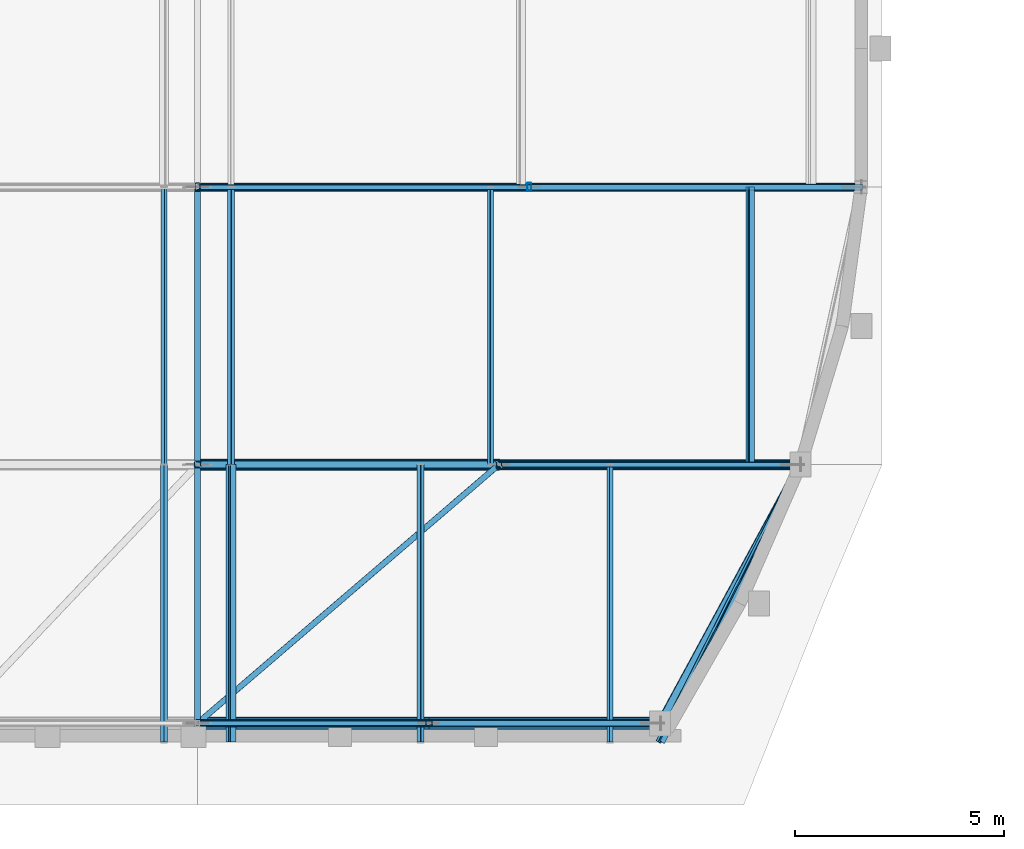
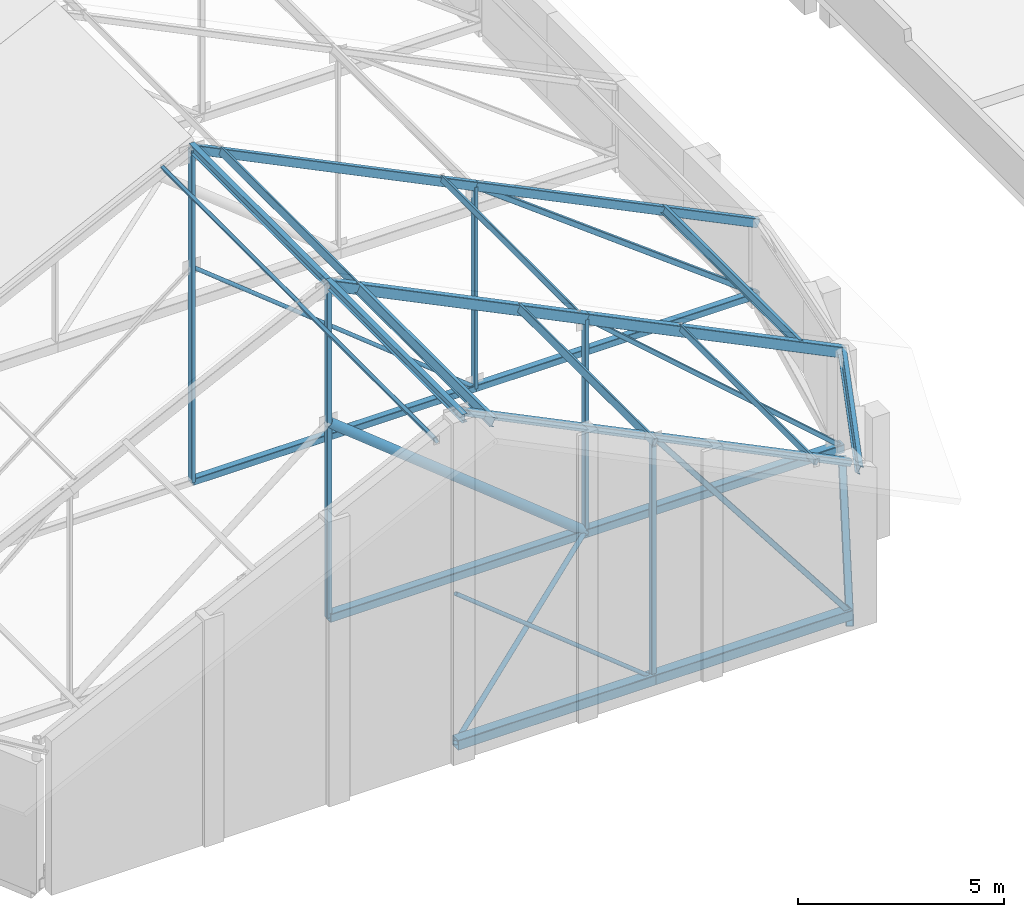
# One storey, part 15 of 78: 35 members, 1 beam.
"""IFC4 building model written with IfcOpenShell, lengths in metres."""

import ifcopenshell
import ifcopenshell.guid

model = None  # the IFC model being written
_history = None  # IfcOwnerHistory: only IFC2X3 demands one
_inside = {}  # id of a spatial element -> (the spatial element, [elements in it])
_under = {}  # id of a project, library or spatial element -> (it, [spatial elements below it])
_declared = {}  # id of a project -> (the project, [libraries it declares])
_typed = {}  # id of a type object -> (the type object, [elements of that type])
_made_of = {}  # id of a material, layer set ... -> (it, [elements and type objects made of it])


def new_model(schema):
    """Start an empty IFC model of exactly this schema.

    Asked for "IFC4X3", IfcOpenShell would pick the latest addendum, in which some entities
    have other attributes; the version numbers below select the first issue.
    IFC2X3 requires an IfcOwnerHistory on every rooted entity: one is made here for all.
    """
    global model, _history
    if schema == "IFC4X3":
        model = ifcopenshell.file(schema_version=(4, 3, 0, 0))
    else:
        model = ifcopenshell.file(schema=schema)
    _inside.clear()
    _under.clear()
    _declared.clear()
    _typed.clear()
    _made_of.clear()
    _history = None
    if model.schema == "IFC2X3":
        org = make("IfcOrganization", Name="unknown")
        user = make(
            "IfcPersonAndOrganization",
            ThePerson=make("IfcPerson", FamilyName="unknown"),
            TheOrganization=org,
        )
        app = make(
            "IfcApplication",
            ApplicationDeveloper=org,
            Version="unknown",
            ApplicationFullName="unknown",
            ApplicationIdentifier="unknown",
        )
        _history = make(
            "IfcOwnerHistory",
            OwningUser=user,
            OwningApplication=app,
            ChangeAction="ADDED",
            CreationDate=0,
        )
    return model


def make(cls, **values):
    """One entity of the class cls with the attributes given. An attribute that is None is left unset."""
    return model.create_entity(
        cls, **{name: value for name, value in values.items() if value is not None}
    )


def rooted(cls, **values):
    """An entity with a GlobalId (a new one), such as an element, a storey or a relation."""
    return make(cls, GlobalId=ifcopenshell.guid.new(), OwnerHistory=_history, **values)


def si_unit(unit_type, name, prefix=None):
    """IfcSIUnit, for example si_unit("LENGTHUNIT", "METRE", prefix="MILLI")."""
    return make("IfcSIUnit", UnitType=unit_type, Prefix=prefix, Name=name)


def assignment(units):
    """IfcUnitAssignment: the units of a project."""
    return None if units is None else make("IfcUnitAssignment", Units=units)


def point(xyz):
    """IfcCartesianPoint."""
    return None if xyz is None else make("IfcCartesianPoint", Coordinates=xyz)


def direction(xyz):
    """IfcDirection."""
    return None if xyz is None else make("IfcDirection", DirectionRatios=xyz)


def frame(location, z_axis=None, x_axis=None):
    """IfcAxis2Placement3D, a coordinate frame: its origin and axes. An axis left out is left unset."""
    return make(
        "IfcAxis2Placement3D",
        Location=point(location),
        Axis=direction(z_axis),
        RefDirection=direction(x_axis),
    )


def frame_2d(location, x_axis=None):
    """IfcAxis2Placement2D, a coordinate frame in the plane: its origin and x axis."""
    return make(
        "IfcAxis2Placement2D", Location=point(location), RefDirection=direction(x_axis)
    )


def origin():
    """The frame at (0, 0, 0) with its axes left unset."""
    return frame((0.0, 0.0, 0.0))


def origin_2d():
    """The frame at (0, 0) in the plane with its x axis left unset."""
    return frame_2d((0.0, 0.0))


def place(relative_to, where):
    """IfcLocalPlacement: puts the frame where relative to a parent placement (None: the world)."""
    return make(
        "IfcLocalPlacement", PlacementRelTo=relative_to, RelativePlacement=where
    )


def context(
    kind, dimensions, precision=None, world=None, true_north=None, identifier=None
):
    """IfcGeometricRepresentationContext, for example the 3D "Model" context."""
    return make(
        "IfcGeometricRepresentationContext",
        ContextIdentifier=identifier,
        ContextType=kind,
        CoordinateSpaceDimension=dimensions,
        Precision=precision,
        WorldCoordinateSystem=world,
        TrueNorth=true_north,
    )


def subcontext(parent, identifier, kind, view, scale=None):
    """IfcGeometricRepresentationSubContext, for example "Body" below "Model"."""
    return make(
        "IfcGeometricRepresentationSubContext",
        ContextIdentifier=identifier,
        ContextType=kind,
        ParentContext=parent,
        TargetScale=scale,
        TargetView=view,
    )


def project(units=None, contexts=None):
    """IfcProject with its units and contexts."""
    return rooted(
        "IfcProject",
        Name="project",
        RepresentationContexts=contexts,
        UnitsInContext=assignment(units),
    )


def spatial(cls, under=None, at=None, **own):
    """A site, building, storey or space (cls), placed at a placement, below another one or the project."""
    s = rooted(cls, ObjectPlacement=at, **own)
    if under is not None:
        _under.setdefault(under.id(), (under, []))[1].append(s)
    return s


def profile(cls, at=None, kind="AREA", **sizes):
    """A parametric profile (cls). Its sizes go by their IFC names, for example OverallWidth=200.0."""
    return make(cls, ProfileType=kind, Position=at, **sizes)


def hollow_rectangle(**sizes):
    """IfcRectangleHollowProfileDef."""
    return profile("IfcRectangleHollowProfileDef", **sizes)


def hollow_circle(**sizes):
    """IfcCircleHollowProfileDef."""
    return profile("IfcCircleHollowProfileDef", **sizes)


def i_section(**sizes):
    """IfcIShapeProfileDef."""
    return profile("IfcIShapeProfileDef", **sizes)


def extrude(swept, where, along, depth):
    """IfcExtrudedAreaSolid: the profile swept, set in the frame where, extruded along a direction by depth."""
    return make(
        "IfcExtrudedAreaSolid",
        SweptArea=swept,
        Position=where,
        ExtrudedDirection=direction(along),
        Depth=depth,
    )


def shape(context_of_items, identifier, shape_type, items):
    """IfcShapeRepresentation: the items that make up one representation, for example the "Body"."""
    return make(
        "IfcShapeRepresentation",
        ContextOfItems=context_of_items,
        RepresentationIdentifier=identifier,
        RepresentationType=shape_type,
        Items=items,
    )


def material(Name=None, Category=None):
    """IfcMaterial."""
    return make("IfcMaterial", Name=Name, Category=Category)


def material_profile(
    of_material, cross_section, Name=None, Category=None, Priority=None
):
    """IfcMaterialProfile: a cross section and its material."""
    return make(
        "IfcMaterialProfile",
        Name=Name,
        Material=of_material,
        Profile=cross_section,
        Priority=Priority,
        Category=Category,
    )


def profile_set(profiles, Name=None, composite=None):
    """IfcMaterialProfileSet."""
    return make(
        "IfcMaterialProfileSet",
        Name=Name,
        MaterialProfiles=profiles,
        CompositeProfile=composite,
    )


def made_of(thing, what):
    """Note that an element or type object is made of a material, layer set ...; save() writes the relation."""
    if what is not None:
        _made_of.setdefault(what.id(), (what, []))[1].append(thing)
    return thing


def type_object(cls, material=None, **own):
    """A type object (cls), such as IfcWallType, which elements share."""
    return made_of(rooted(cls, **own), material)


def element(
    cls,
    number,
    at=None,
    inside=None,
    cuts=None,
    type_object=None,
    material=None,
    context=None,
    identifier="Body",
    shape_type=None,
    held_by="IfcProductDefinitionShape",
    body=None,
    shapes=None,
    **own,
):
    """One element of the class cls, such as IfcWall. Its Tag is "e" and its number.

    at: its placement. inside: the storey or other place that contains it. cuts: it is an
    opening in that element (IfcRelVoidsElement). A single representation is given by context,
    identifier, shape_type and body (its items); several are given by shapes. held_by: the class
    of the entity that holds the representations. save() writes the other relations.
    """
    e = rooted(cls, Tag="e%d" % number, ObjectPlacement=at, **own)
    if body is not None:
        shapes = [shape(context, identifier, shape_type, body)]
    if shapes is not None:
        e.Representation = make(held_by, Representations=shapes)
    if inside is not None:
        _inside.setdefault(inside.id(), (inside, []))[1].append(e)
    if cuts is not None:
        rooted(
            "IfcRelVoidsElement", RelatingBuildingElement=cuts, RelatedOpeningElement=e
        )
    if type_object is not None:
        _typed.setdefault(type_object.id(), (type_object, []))[1].append(e)
    return made_of(e, material)


def aggregate(whole, parts):
    """IfcRelAggregates: a whole, such as a stair, and the parts it consists of."""
    return rooted("IfcRelAggregates", RelatingObject=whole, RelatedObjects=parts)


def save(model, path):
    """Write the relations noted so far, then the file.

    IfcRelAggregates (storeys below a building ...), IfcRelContainedInSpatialStructure (elements
    in a storey), IfcRelDefinesByType, IfcRelAssociatesMaterial and IfcRelDeclares: one each for
    every whole, place, type object, material and project.
    """
    for whole, parts in _under.values():
        aggregate(whole, parts)
    for where, things in _inside.values():
        rooted(
            "IfcRelContainedInSpatialStructure",
            RelatedElements=things,
            RelatingStructure=where,
        )
    for kind, things in _typed.values():
        rooted("IfcRelDefinesByType", RelatedObjects=things, RelatingType=kind)
    for what, things in _made_of.values():
        rooted("IfcRelAssociatesMaterial", RelatedObjects=things, RelatingMaterial=what)
    for by, libraries in _declared.values():
        rooted("IfcRelDeclares", RelatingContext=by, RelatedDefinitions=libraries)
    model.write(path)


model = new_model("IFC4")

# Units and contexts
model_context = context("Model", 3, precision=1e-05, world=origin(), true_north=direction((0.0, 1.0)))
body_context = subcontext(model_context, "Body", "Model", "MODEL_VIEW")
ifc_project = project(units=[si_unit("LENGTHUNIT", "METRE"), si_unit("AREAUNIT", "SQUARE_METRE"), si_unit("VOLUMEUNIT", "CUBIC_METRE"), si_unit("PLANEANGLEUNIT", "RADIAN"), si_unit("MASSUNIT", "GRAM", prefix="KILO")], contexts=[model_context])

# Site, building, storey
site_placement = place(None, origin())
site = spatial("IfcSite", under=ifc_project, at=site_placement, CompositionType="ELEMENT")
building_placement = place(site_placement, origin())
building = spatial("IfcBuilding", under=site, at=building_placement, Name="Kelanivale Promenade Academy", CompositionType="ELEMENT")
storey_placement = place(building_placement, frame((0.0, 0.0, 16.199951171875)))
storey = spatial("IfcBuildingStorey", under=building, at=storey_placement, Name="L04", CompositionType="ELEMENT", Elevation=16.199951171875)

# Members
ifc_material = material(Name="Steel S355", Category="steel")
ifc_material_profile_1 = material_profile(ifc_material, i_section(OverallWidth=0.13330078125, OverallDepth=0.203125, WebThickness=0.005615234375, FlangeThickness=0.0078125, FilletRadius=0.007568359375, at=origin_2d()), Name="UB 203x133x25")
ifc_profile_set_1 = profile_set([ifc_material_profile_1], Name="Steel S355")
member_type_1 = type_object("IfcMemberType", Name="PR-01 UB 203x133x25", PredefinedType="PURLIN", material=ifc_profile_set_1)
member_1_placement = place(storey_placement, frame((30.64990234375, 33.0, 4.68994140625), z_axis=(0.440489745694, 0.871606003141, -0.215108714903), x_axis=(-0.759389701539, 0.489547094897, 0.428568457862)))
element("IfcMember", 1, at=member_1_placement, inside=storey, type_object=member_type_1, Name="Sports Hall Crescent Pavilion roof tie purlin PR-01", PredefinedType="PURLIN", context=body_context, shape_type="SweptSolid", body=[
    extrude(i_section(OverallWidth=0.13330078125, OverallDepth=0.203125, WebThickness=0.005615234375, FlangeThickness=0.0078125, FilletRadius=0.007568359375, at=origin_2d()), origin(), (0.0, 0.0, 1.0), 7.60546875),
])
member_2_placement = place(storey_placement, frame((32.800048828125, 39.62890625, 3.656982421875), z_axis=(0.0, 1.0, 0.0), x_axis=(-0.898564392509, 0.0, 0.438841694139)))
element("IfcMember", 2, at=member_2_placement, inside=storey, type_object=member_type_1, Name="Sports Hall Crescent Pavilion roof purlin PR-01", PredefinedType="PURLIN", context=body_context, shape_type="SweptSolid", body=[
    extrude(i_section(OverallWidth=0.13330078125, OverallDepth=0.203125, WebThickness=0.005615234375, FlangeThickness=0.0078125, FilletRadius=0.007568359375, at=origin_2d()), origin(), (0.0, 0.0, 1.0), 6.628173828125),
])
ifc_material_profile_2 = material_profile(ifc_material, i_section(OverallWidth=0.14599609375, OverallDepth=0.25146484375, WebThickness=0.006103515625, FlangeThickness=0.008544921875, FilletRadius=0.007568359375, at=origin_2d()), Name="UB 254x146x31")
ifc_profile_set_2 = profile_set([ifc_material_profile_2], Name="Steel S355")
member_type_2 = type_object("IfcMemberType", Name="PR-02 UB 254x146x31", PredefinedType="PURLIN", material=ifc_profile_set_2)
for number, where, z_axis, x_axis, name in (
    (3, (19.60009765625, 33.0, 10.087158203125), (0.0, 1.0, 0.0), (-1.0, 0.0, 0.0), "Sports Hall Crescent Pavilion roof tie purlin PR-02"),
    (4, (20.39990234375, 33.0, 9.68603515625), (0.0, 1.0, 0.0), (-0.898564392509, 0.0, 0.438841694139), "Sports Hall Crescent Pavilion roof purlin PR-02"),
):
    element("IfcMember", number, at=place(storey_placement, frame(where, z_axis=z_axis, x_axis=x_axis)), inside=storey, type_object=member_type_2, Name=name, PredefinedType="PURLIN", context=body_context, shape_type="SweptSolid", body=[
        extrude(i_section(OverallWidth=0.14599609375, OverallDepth=0.25146484375, WebThickness=0.006103515625, FlangeThickness=0.008544921875, FilletRadius=0.007568359375, at=origin_2d()), origin(), (0.0, 0.0, 1.0), 6.62890625),
    ])
member_3_placement = place(storey_placement, frame((19.60009765625, 39.62890625, 10.087158203125), z_axis=(0.0, 1.0, 0.0), x_axis=(-1.0, 0.0, 0.0)))
element("IfcMember", 5, at=member_3_placement, inside=storey, type_object=member_type_2, Name="Sports Hall Crescent Pavilion roof tie purlin PR-02", PredefinedType="PURLIN", context=body_context, shape_type="SweptSolid", body=[
    extrude(i_section(OverallWidth=0.14599609375, OverallDepth=0.25146484375, WebThickness=0.006103515625, FlangeThickness=0.008544921875, FilletRadius=0.007568359375, at=origin_2d()), origin(), (0.0, 0.0, 1.0), 6.628173828125),
])
ifc_material_profile_3 = material_profile(ifc_material, hollow_rectangle(XDim=0.10009765625, YDim=0.199951171875, WallThickness=0.008056640625, InnerFilletRadius=0.008056640625, OuterFilletRadius=0.01611328125, at=origin_2d()), Name="RHS 200x100x8.0")
ifc_profile_set_3 = profile_set([ifc_material_profile_3], Name="Steel S355")
member_type_3 = type_object("IfcMemberType", Name="PR-03 RHS 200x100x8.0", PredefinedType="PURLIN", material=ifc_profile_set_3)
for number, where, z_axis, x_axis, name in (
    (6, (18.800048828125, 33.0, 9.715087890625), (0.0, 1.0, 0.0), (-0.898564392509, 0.0, -0.438841694139), "Sports Hall Crescent Pavilion roof purlin PR-03"),
    (7, (24.925048828125, 33.0, 7.505126953125), (0.0, 1.0, 0.0), (-0.898564392509, 0.0, 0.438841694139), "Sports Hall Crescent Pavilion roof purlin PR-03"),
):
    element("IfcMember", number, at=place(storey_placement, frame(where, z_axis=z_axis, x_axis=x_axis)), inside=storey, type_object=member_type_3, Name=name, PredefinedType="PURLIN", context=body_context, shape_type="SweptSolid", body=[
        extrude(hollow_rectangle(XDim=0.10009765625, YDim=0.199951171875, WallThickness=0.008056640625, InnerFilletRadius=0.008056640625, OuterFilletRadius=0.01611328125, at=origin_2d()), origin(), (0.0, 0.0, 1.0), 6.62890625),
    ])
member_4_placement = place(storey_placement, frame((20.39990234375, 39.62890625, 9.715087890625), z_axis=(0.0, 1.0, 0.0), x_axis=(-0.898564392509, 0.0, 0.438841694139)))
element("IfcMember", 8, at=member_4_placement, inside=storey, type_object=member_type_3, Name="Sports Hall Crescent Pavilion roof purlin PR-03", PredefinedType="PURLIN", context=body_context, shape_type="SweptSolid", body=[
    extrude(hollow_rectangle(XDim=0.10009765625, YDim=0.199951171875, WallThickness=0.008056640625, InnerFilletRadius=0.008056640625, OuterFilletRadius=0.01611328125, at=origin_2d()), origin(), (0.0, 0.0, 1.0), 6.628173828125),
])
ifc_material_profile_4 = material_profile(ifc_material, hollow_rectangle(XDim=0.10009765625, YDim=0.14990234375, WallThickness=0.008056640625, InnerFilletRadius=0.008056640625, OuterFilletRadius=0.01611328125, at=origin_2d()), Name="RHS 150x100x8.0")
ifc_profile_set_4 = profile_set([ifc_material_profile_4], Name="Steel S355")
member_type_4 = type_object("IfcMemberType", Name="PR-04 RHS 150x100x8.0", PredefinedType="PURLIN", material=ifc_profile_set_4)
member_5_placement = place(storey_placement, frame((29.449951171875, 33.0, 5.323974609375), z_axis=(0.0, 1.0, 0.0), x_axis=(-0.898564392509, 0.0, 0.438841694139)))
element("IfcMember", 9, at=member_5_placement, inside=storey, type_object=member_type_4, Name="Sports Hall Crescent Pavilion roof purlin PR-04", PredefinedType="PURLIN", context=body_context, shape_type="SweptSolid", body=[
    extrude(hollow_rectangle(XDim=0.10009765625, YDim=0.14990234375, WallThickness=0.008056640625, InnerFilletRadius=0.008056640625, OuterFilletRadius=0.01611328125, at=origin_2d()), origin(), (0.0, 0.0, 1.0), 6.62890625),
])
for number, where, z_axis, x_axis, name in (
    (10, (18.800048828125, 39.62890625, 9.7431640625), (0.0, 1.0, 0.0), (-0.898564392509, 0.0, -0.438841694139), "Sports Hall Crescent Pavilion roof purlin PR-04"),
    (11, (26.60009765625, 39.62890625, 6.715087890625), (0.0, 1.0, 0.0), (-0.898564392509, 0.0, 0.438841694139), "Sports Hall Crescent Pavilion roof purlin PR-04"),
):
    element("IfcMember", number, at=place(storey_placement, frame(where, z_axis=z_axis, x_axis=x_axis)), inside=storey, type_object=member_type_4, Name=name, PredefinedType="PURLIN", context=body_context, shape_type="SweptSolid", body=[
        extrude(hollow_rectangle(XDim=0.10009765625, YDim=0.14990234375, WallThickness=0.008056640625, InnerFilletRadius=0.008056640625, OuterFilletRadius=0.01611328125, at=origin_2d()), origin(), (0.0, 0.0, 1.0), 6.628173828125),
    ])

# Beam
ifc_material_profile_5 = material_profile(ifc_material, hollow_rectangle(XDim=0.199951171875, YDim=0.300048828125, WallThickness=0.012451171875, InnerFilletRadius=0.012451171875, OuterFilletRadius=0.02490234375, at=origin_2d()), Name="RHS 300x200x12.5")
ifc_profile_set_5 = profile_set([ifc_material_profile_5], Name="Steel S355")
beam_type = type_object("IfcBeamType", Name="SB-14 RHS 300x200x12.5", PredefinedType="SPANDREL", material=ifc_profile_set_5)
beam_placement = place(storey_placement, frame((30.697998046875, 33.5380859375, -0.14990234375), z_axis=(0.476545748285, 0.879149674283, 0.0), x_axis=(-0.879149674283, 0.476545748285, 0.0)))
element("IfcBeam", 12, at=beam_placement, inside=storey, type_object=beam_type, Name="Sports Hall Crescent Pavilion inner kidney ring beam SB-14", PredefinedType="SPANDREL", context=body_context, shape_type="SweptSolid", body=[
    extrude(hollow_rectangle(XDim=0.199951171875, YDim=0.300048828125, WallThickness=0.012451171875, InnerFilletRadius=0.012451171875, OuterFilletRadius=0.02490234375, at=origin_2d()), origin(), (0.0, 0.0, 1.0), 6.828125),
])

# Members
ifc_material_profile_6 = material_profile(ifc_material, hollow_rectangle(XDim=0.300048828125, YDim=0.300048828125, WallThickness=0.01611328125, InnerFilletRadius=0.01611328125, OuterFilletRadius=0.031982421875, at=origin_2d()), Name="SHS 300x300x16.0")
ifc_profile_set_6 = profile_set([ifc_material_profile_6], Name="Steel S355")
member_type_5 = type_object("IfcMemberType", Name="TC-01 SHS 300x300x16.0", PredefinedType="CHORD", material=ifc_profile_set_6)
for number, where, z_axis, x_axis, name in (
    (13, (19.60009765625, 33.449951171875, 0.199951171875), (1.0, 0.0, 0.0), (0.0, 1.0, 0.0), "ROOF TRUSS SH-TR1 bottom chord 3"),
    (14, (25.125, 33.449951171875, 0.199951171875), (1.0, 0.0, 0.0), (0.0, 1.0, 0.0), "ROOF TRUSS SH-TR1 bottom chord 4"),
):
    element("IfcMember", number, at=place(storey_placement, frame(where, z_axis=z_axis, x_axis=x_axis)), inside=storey, type_object=member_type_5, Name=name, PredefinedType="CHORD", context=body_context, shape_type="SweptSolid", body=[
        extrude(hollow_rectangle(XDim=0.300048828125, YDim=0.300048828125, WallThickness=0.01611328125, InnerFilletRadius=0.01611328125, OuterFilletRadius=0.031982421875, at=origin_2d()), origin(), (0.0, 0.0, 1.0), 5.52490234375),
    ])
ifc_material_profile_7 = material_profile(ifc_material, hollow_rectangle(XDim=0.25, YDim=0.25, WallThickness=0.012451171875, InnerFilletRadius=0.012451171875, OuterFilletRadius=0.02490234375, at=origin_2d()), Name="SHS 250x250x12.5")
ifc_profile_set_7 = profile_set([ifc_material_profile_7], Name="Steel S355")
member_type_6 = type_object("IfcMemberType", Name="TC-02 SHS 250x250x12.5", PredefinedType="CHORD", material=ifc_profile_set_7)
for number, where, z_axis, x_axis, name in (
    (15, (19.60009765625, 39.62890625, 0.199951171875), (1.0, 0.0, 0.0), (0.0, 1.0, 0.0), "ROOF TRUSS SH-TR2 bottom chord 3"),
    (16, (26.800048828125, 39.62890625, 0.199951171875), (1.0, 0.0, 0.0), (0.0, 1.0, 0.0), "ROOF TRUSS SH-TR2 bottom chord 4"),
):
    element("IfcMember", number, at=place(storey_placement, frame(where, z_axis=z_axis, x_axis=x_axis)), inside=storey, type_object=member_type_6, Name=name, PredefinedType="CHORD", context=body_context, shape_type="SweptSolid", body=[
        extrude(hollow_rectangle(XDim=0.25, YDim=0.25, WallThickness=0.012451171875, InnerFilletRadius=0.012451171875, OuterFilletRadius=0.02490234375, at=origin_2d()), origin(), (0.0, 0.0, 1.0), 7.199951171875),
    ])
ifc_material_profile_8 = material_profile(ifc_material, hollow_rectangle(XDim=0.199951171875, YDim=0.199951171875, WallThickness=0.012451171875, InnerFilletRadius=0.012451171875, OuterFilletRadius=0.02490234375, at=origin_2d()), Name="SHS 200x200x12.5")
ifc_profile_set_8 = profile_set([ifc_material_profile_8], Name="Steel S355")
member_type_7 = type_object("IfcMemberType", Name="TC-03 SHS 200x200x12.5", PredefinedType="CHORD", material=ifc_profile_set_8)
member_6_placement = place(storey_placement, frame((19.60009765625, 46.257080078125, 0.199951171875), z_axis=(1.0, 0.0, 0.0), x_axis=(0.0, 1.0, 0.0)))
element("IfcMember", 17, at=member_6_placement, inside=storey, type_object=member_type_7, Name="ROOF TRUSS SH-TR3 bottom chord 3", PredefinedType="CHORD", context=body_context, shape_type="SweptSolid", body=[
    extrude(hollow_rectangle(XDim=0.199951171875, YDim=0.199951171875, WallThickness=0.012451171875, InnerFilletRadius=0.012451171875, OuterFilletRadius=0.02490234375, at=origin_2d()), origin(), (0.0, 0.0, 1.0), 7.9248046875),
])
member_7_placement = place(storey_placement, frame((27.52490234375, 46.257080078125, 0.199951171875), z_axis=(1.0, 0.0, 0.0), x_axis=(0.0, 1.0, 0.0)))
element("IfcMember", 18, at=member_7_placement, inside=storey, type_object=member_type_7, Name="ROOF TRUSS SH-TR3 bottom chord 4", PredefinedType="CHORD", context=body_context, shape_type="SweptSolid", body=[
    extrude(hollow_rectangle(XDim=0.199951171875, YDim=0.199951171875, WallThickness=0.012451171875, InnerFilletRadius=0.012451171875, OuterFilletRadius=0.02490234375, at=origin_2d()), origin(), (0.0, 0.0, 1.0), 7.925048828125),
])
ifc_material_profile_9 = material_profile(ifc_material, hollow_rectangle(XDim=0.179931640625, YDim=0.179931640625, WallThickness=0.010009765625, InnerFilletRadius=0.010009765625, OuterFilletRadius=0.02001953125, at=origin_2d()), Name="SHS 180x180x10.0")
ifc_profile_set_9 = profile_set([ifc_material_profile_9], Name="Steel S355")
member_type_8 = type_object("IfcMemberType", Name="TC-04 SHS 180x180x10.0", PredefinedType="CHORD", material=ifc_profile_set_9)
member_8_placement = place(storey_placement, frame((19.60009765625, 33.449951171875, 10.0419921875), z_axis=(0.898580988374, 0.0, -0.438807711114), x_axis=(0.0, 1.0, 0.0)))
element("IfcMember", 19, at=member_8_placement, inside=storey, type_object=member_type_8, Name="ROOF TRUSS SH-TR1 top chord 3", PredefinedType="CHORD", context=body_context, shape_type="SweptSolid", body=[
    extrude(hollow_rectangle(XDim=0.179931640625, YDim=0.179931640625, WallThickness=0.010009765625, InnerFilletRadius=0.010009765625, OuterFilletRadius=0.02001953125, at=origin_2d()), origin(), (0.0, 0.0, 1.0), 6.1484375),
])
member_9_placement = place(storey_placement, frame((25.125, 33.449951171875, 7.343994140625), z_axis=(0.898518356223, 0.0, -0.438935944677), x_axis=(0.0, 1.0, 0.0)))
element("IfcMember", 20, at=member_9_placement, inside=storey, type_object=member_type_8, Name="ROOF TRUSS SH-TR1 top chord 4", PredefinedType="CHORD", context=body_context, shape_type="SweptSolid", body=[
    extrude(hollow_rectangle(XDim=0.179931640625, YDim=0.179931640625, WallThickness=0.010009765625, InnerFilletRadius=0.010009765625, OuterFilletRadius=0.02001953125, at=origin_2d()), origin(), (0.0, 0.0, 1.0), 6.14892578125),
])
ifc_material_profile_10 = material_profile(ifc_material, hollow_rectangle(XDim=0.199951171875, YDim=0.300048828125, WallThickness=0.012451171875, InnerFilletRadius=0.012451171875, OuterFilletRadius=0.02490234375, at=origin_2d()), Name="RHS 300x200x12.5")
ifc_profile_set_10 = profile_set([ifc_material_profile_10], Name="Steel S355")
member_type_9 = type_object("IfcMemberType", Name="TC-05 RHS 300x200x12.5", PredefinedType="CHORD", material=ifc_profile_set_10)
member_10_placement = place(storey_placement, frame((19.60009765625, 39.62890625, 10.0419921875), z_axis=(0.898586515561, 0.0, -0.438796392479), x_axis=(0.0, 1.0, 0.0)))
element("IfcMember", 21, at=member_10_placement, inside=storey, type_object=member_type_9, Name="ROOF TRUSS SH-TR2 top chord 3", PredefinedType="CHORD", context=body_context, shape_type="SweptSolid", body=[
    extrude(hollow_rectangle(XDim=0.199951171875, YDim=0.300048828125, WallThickness=0.012451171875, InnerFilletRadius=0.012451171875, OuterFilletRadius=0.02490234375, at=origin_2d()), origin(), (0.0, 0.0, 1.0), 8.012451171875),
])
member_11_placement = place(storey_placement, frame((26.800048828125, 39.62890625, 6.526123046875), z_axis=(0.898526440367, 0.0, -0.438919395745), x_axis=(0.0, 1.0, 0.0)))
element("IfcMember", 22, at=member_11_placement, inside=storey, type_object=member_type_9, Name="ROOF TRUSS SH-TR2 top chord 4", PredefinedType="CHORD", context=body_context, shape_type="SweptSolid", body=[
    extrude(hollow_rectangle(XDim=0.199951171875, YDim=0.300048828125, WallThickness=0.012451171875, InnerFilletRadius=0.012451171875, OuterFilletRadius=0.02490234375, at=origin_2d()), origin(), (0.0, 0.0, 1.0), 8.01318359375),
])
ifc_material_profile_11 = material_profile(ifc_material, hollow_rectangle(XDim=0.14990234375, YDim=0.25, WallThickness=0.010009765625, InnerFilletRadius=0.010009765625, OuterFilletRadius=0.02001953125, at=origin_2d()), Name="RHS 250x150x10.0")
ifc_profile_set_11 = profile_set([ifc_material_profile_11], Name="Steel S355")
member_type_10 = type_object("IfcMemberType", Name="TC-06 RHS 250x150x10.0", PredefinedType="CHORD", material=ifc_profile_set_11)
member_12_placement = place(storey_placement, frame((19.60009765625, 46.257080078125, 10.0419921875), z_axis=(0.89858452393, 0.0, -0.438800471005), x_axis=(0.0, 1.0, 0.0)))
element("IfcMember", 23, at=member_12_placement, inside=storey, type_object=member_type_10, Name="ROOF TRUSS SH-TR3 top chord 3", PredefinedType="CHORD", context=body_context, shape_type="SweptSolid", body=[
    extrude(hollow_rectangle(XDim=0.14990234375, YDim=0.25, WallThickness=0.010009765625, InnerFilletRadius=0.010009765625, OuterFilletRadius=0.02001953125, at=origin_2d()), origin(), (0.0, 0.0, 1.0), 8.819091796875),
])
member_13_placement = place(storey_placement, frame((27.52490234375, 46.257080078125, 6.172119140625), z_axis=(0.898535276105, 0.0, -0.438901307351), x_axis=(0.0, 1.0, 0.0)))
element("IfcMember", 24, at=member_13_placement, inside=storey, type_object=member_type_10, Name="ROOF TRUSS SH-TR3 top chord 4", PredefinedType="CHORD", context=body_context, shape_type="SweptSolid", body=[
    extrude(hollow_rectangle(XDim=0.14990234375, YDim=0.25, WallThickness=0.010009765625, InnerFilletRadius=0.010009765625, OuterFilletRadius=0.02001953125, at=origin_2d()), origin(), (0.0, 0.0, 1.0), 8.820068359375),
])
ifc_material_profile_12 = material_profile(ifc_material, hollow_rectangle(XDim=0.14990234375, YDim=0.14990234375, WallThickness=0.010009765625, InnerFilletRadius=0.010009765625, OuterFilletRadius=0.02001953125, at=origin_2d()), Name="SHS 150x150x10.0")
ifc_profile_set_12 = profile_set([ifc_material_profile_12], Name="Steel S355")
member_type_11 = type_object("IfcMemberType", Name="TD-01 SHS 150x150x10.0", PredefinedType="BRACE", material=ifc_profile_set_12)
member_14_placement = place(storey_placement, frame((30.64990234375, 33.449951171875, 0.199951171875), z_axis=(-0.611759820771, 0.0, 0.791043564976), x_axis=(0.0, -1.0, 0.0)))
element("IfcMember", 25, at=member_14_placement, inside=storey, type_object=member_type_11, Name="ROOF TRUSS SH-TR1 web diagonal 4", PredefinedType="BRACE", context=body_context, shape_type="SweptSolid", body=[
    extrude(hollow_rectangle(XDim=0.14990234375, YDim=0.14990234375, WallThickness=0.010009765625, InnerFilletRadius=0.010009765625, OuterFilletRadius=0.02001953125, at=origin_2d()), origin(), (0.0, 0.0, 1.0), 9.03125),
])
member_15_placement = place(storey_placement, frame((35.449951171875, 46.257080078125, 0.199951171875), z_axis=(-0.798625080722, 0.0, 0.601828863085), x_axis=(0.0, -1.0, 0.0)))
element("IfcMember", 26, at=member_15_placement, inside=storey, type_object=member_type_11, Name="ROOF TRUSS SH-TR3 web diagonal 4", PredefinedType="BRACE", context=body_context, shape_type="SweptSolid", body=[
    extrude(hollow_rectangle(XDim=0.14990234375, YDim=0.14990234375, WallThickness=0.010009765625, InnerFilletRadius=0.010009765625, OuterFilletRadius=0.02001953125, at=origin_2d()), origin(), (0.0, 0.0, 1.0), 9.92333984375),
])
ifc_material_profile_13 = material_profile(ifc_material, hollow_rectangle(XDim=0.1201171875, YDim=0.1201171875, WallThickness=0.008056640625, InnerFilletRadius=0.008056640625, OuterFilletRadius=0.01611328125, at=origin_2d()), Name="SHS 120x120x8.0")
ifc_profile_set_13 = profile_set([ifc_material_profile_13], Name="Steel S355")
member_type_12 = type_object("IfcMemberType", Name="TD-02 SHS 120x120x8.0", PredefinedType="BRACE", material=ifc_profile_set_13)
member_16_placement = place(storey_placement, frame((34.0, 39.62890625, 0.199951171875), z_axis=(-0.751219629486, 0.0, 0.660052322377), x_axis=(0.0, -1.0, 0.0)))
element("IfcMember", 27, at=member_16_placement, inside=storey, type_object=member_type_12, Name="ROOF TRUSS SH-TR2 web diagonal 4", PredefinedType="BRACE", context=body_context, shape_type="SweptSolid", body=[
    extrude(hollow_rectangle(XDim=0.1201171875, YDim=0.1201171875, WallThickness=0.008056640625, InnerFilletRadius=0.008056640625, OuterFilletRadius=0.01611328125, at=origin_2d()), origin(), (0.0, 0.0, 1.0), 9.584228515625),
])
ifc_material_profile_14 = material_profile(ifc_material, hollow_circle(Radius=0.06982421875, WallThickness=0.008056640625, at=origin_2d()), Name="CHS 139.7x8.0")
ifc_profile_set_14 = profile_set([ifc_material_profile_14], Name="Steel S355")
member_type_13 = type_object("IfcMemberType", Name="TD-05 CHS 139.7x8.0", PredefinedType="BRACE", material=ifc_profile_set_14)
member_17_placement = place(storey_placement, frame((19.60009765625, 33.449951171875, 0.199951171875), z_axis=(0.758862309471, 0.65125110001, 0.0), x_axis=(-0.65125110001, 0.758862309471, 0.0)))
element("IfcMember", 28, at=member_17_placement, inside=storey, type_object=member_type_13, Name="Sports Hall Crescent Pavilion roof wind brace TD-05", PredefinedType="BRACE", context=body_context, shape_type="SweptSolid", body=[
    extrude(hollow_circle(Radius=0.06982421875, WallThickness=0.008056640625, at=origin_2d()), origin(), (0.0, 0.0, 1.0), 9.48779296875),
])
ifc_material_profile_15 = material_profile(ifc_material, hollow_circle(Radius=0.05712890625, WallThickness=0.00634765625, at=origin_2d()), Name="CHS 114.3x6.3")
ifc_profile_set_15 = profile_set([ifc_material_profile_15], Name="Steel S355")
member_type_14 = type_object("IfcMemberType", Name="TD-06 CHS 114.3x6.3", PredefinedType="BRACE", material=ifc_profile_set_15)
member_18_placement = place(storey_placement, frame((25.125, 33.449951171875, 0.199951171875), z_axis=(-0.78085197737, 0.0, 0.624716087065), x_axis=(0.0, -1.0, 0.0)))
element("IfcMember", 29, at=member_18_placement, inside=storey, type_object=member_type_14, Name="ROOF TRUSS SH-TR1 web diagonal 3", PredefinedType="BRACE", context=body_context, shape_type="SweptSolid", body=[
    extrude(hollow_circle(Radius=0.05712890625, WallThickness=0.00634765625, at=origin_2d()), origin(), (0.0, 0.0, 1.0), 7.075439453125),
])
member_19_placement = place(storey_placement, frame((27.52490234375, 46.257080078125, 0.199951171875), z_axis=(-0.780857074681, 0.0, 0.624709715724), x_axis=(0.0, -1.0, 0.0)))
element("IfcMember", 30, at=member_19_placement, inside=storey, type_object=member_type_14, Name="ROOF TRUSS SH-TR3 web diagonal 3", PredefinedType="BRACE", context=body_context, shape_type="SweptSolid", body=[
    extrude(hollow_circle(Radius=0.05712890625, WallThickness=0.00634765625, at=origin_2d()), origin(), (0.0, 0.0, 1.0), 10.14892578125),
])
ifc_material_profile_16 = material_profile(ifc_material, hollow_circle(Radius=0.136474609375, WallThickness=0.012451171875, at=origin_2d()), Name="CHS 273.0x12.5")
ifc_profile_set_16 = profile_set([ifc_material_profile_16], Name="Steel S355")
member_type_15 = type_object("IfcMemberType", Name="TD-08 CHS 273.0x12.5", PredefinedType="BRACE", material=ifc_profile_set_16)
member_20_placement = place(storey_placement, frame((26.800048828125, 39.62890625, 0.199951171875), z_axis=(-0.780866226205, 0.0, 0.624698276588), x_axis=(0.0, -1.0, 0.0)))
element("IfcMember", 31, at=member_20_placement, inside=storey, type_object=member_type_15, Name="ROOF TRUSS SH-TR2 web diagonal 3", PredefinedType="BRACE", context=body_context, shape_type="SweptSolid", body=[
    extrude(hollow_circle(Radius=0.136474609375, WallThickness=0.012451171875, at=origin_2d()), origin(), (0.0, 0.0, 1.0), 9.220458984375),
])
ifc_material_profile_17 = material_profile(ifc_material, hollow_rectangle(XDim=0.1201171875, YDim=0.199951171875, WallThickness=0.010009765625, InnerFilletRadius=0.010009765625, OuterFilletRadius=0.02001953125, at=origin_2d()), Name="RHS 200x120x10.0")
ifc_profile_set_17 = profile_set([ifc_material_profile_17], Name="Steel S355")
member_type_16 = type_object("IfcMemberType", Name="TV-01 RHS 200x120x10.0", PredefinedType="STRUT", material=ifc_profile_set_17)
member_21_placement = place(storey_placement, frame((26.800048828125, 39.62890625, 0.199951171875), z_axis=(0.0, 0.0, 1.0), x_axis=(1.0, 0.0, 0.0)))
element("IfcMember", 32, at=member_21_placement, inside=storey, type_object=member_type_16, Name="ROOF TRUSS SH-TR2 vertical strut 3", PredefinedType="STRUT", context=body_context, shape_type="SweptSolid", body=[
    extrude(hollow_rectangle(XDim=0.1201171875, YDim=0.199951171875, WallThickness=0.010009765625, InnerFilletRadius=0.010009765625, OuterFilletRadius=0.02001953125, at=origin_2d()), origin(), (0.0, 0.0, 1.0), 6.326171875),
])
member_22_placement = place(storey_placement, frame((19.60009765625, 46.257080078125, 0.199951171875), z_axis=(0.0, 0.0, 1.0), x_axis=(1.0, 0.0, 0.0)))
element("IfcMember", 33, at=member_22_placement, inside=storey, type_object=member_type_16, Name="ROOF TRUSS SH-TR3 vertical strut 2", PredefinedType="STRUT", context=body_context, shape_type="SweptSolid", body=[
    extrude(hollow_rectangle(XDim=0.1201171875, YDim=0.199951171875, WallThickness=0.010009765625, InnerFilletRadius=0.010009765625, OuterFilletRadius=0.02001953125, at=origin_2d()), origin(), (0.0, 0.0, 1.0), 9.842041015625),
])
ifc_material_profile_18 = material_profile(ifc_material, hollow_rectangle(XDim=0.10009765625, YDim=0.199951171875, WallThickness=0.008056640625, InnerFilletRadius=0.008056640625, OuterFilletRadius=0.01611328125, at=origin_2d()), Name="RHS 200x100x8.0")
ifc_profile_set_18 = profile_set([ifc_material_profile_18], Name="Steel S355")
member_type_17 = type_object("IfcMemberType", Name="TV-02 RHS 200x100x8.0", PredefinedType="STRUT", material=ifc_profile_set_18)
member_23_placement = place(storey_placement, frame((27.52490234375, 46.257080078125, 0.199951171875), z_axis=(0.0, 0.0, 1.0), x_axis=(1.0, 0.0, 0.0)))
element("IfcMember", 34, at=member_23_placement, inside=storey, type_object=member_type_17, Name="ROOF TRUSS SH-TR3 vertical strut 3", PredefinedType="STRUT", context=body_context, shape_type="SweptSolid", body=[
    extrude(hollow_rectangle(XDim=0.10009765625, YDim=0.199951171875, WallThickness=0.008056640625, InnerFilletRadius=0.008056640625, OuterFilletRadius=0.01611328125, at=origin_2d()), origin(), (0.0, 0.0, 1.0), 5.97216796875),
])
ifc_material_profile_19 = material_profile(ifc_material, hollow_rectangle(XDim=0.14990234375, YDim=0.14990234375, WallThickness=0.010009765625, InnerFilletRadius=0.010009765625, OuterFilletRadius=0.02001953125, at=origin_2d()), Name="SHS 150x150x10.0")
ifc_profile_set_19 = profile_set([ifc_material_profile_19], Name="Steel S355")
member_type_18 = type_object("IfcMemberType", Name="TV-04 SHS 150x150x10.0", PredefinedType="STRUT", material=ifc_profile_set_19)
member_24_placement = place(storey_placement, frame((25.125, 33.449951171875, 0.199951171875), z_axis=(0.0, 0.0, 1.0), x_axis=(1.0, 0.0, 0.0)))
element("IfcMember", 35, at=member_24_placement, inside=storey, type_object=member_type_18, Name="ROOF TRUSS SH-TR1 vertical strut 3", PredefinedType="STRUT", context=body_context, shape_type="SweptSolid", body=[
    extrude(hollow_rectangle(XDim=0.14990234375, YDim=0.14990234375, WallThickness=0.010009765625, InnerFilletRadius=0.010009765625, OuterFilletRadius=0.02001953125, at=origin_2d()), origin(), (0.0, 0.0, 1.0), 7.14404296875),
])
member_25_placement = place(storey_placement, frame((19.60009765625, 39.62890625, 0.199951171875), z_axis=(0.0, 0.0, 1.0), x_axis=(1.0, 0.0, 0.0)))
element("IfcMember", 36, at=member_25_placement, inside=storey, type_object=member_type_18, Name="ROOF TRUSS SH-TR2 vertical strut 2", PredefinedType="STRUT", context=body_context, shape_type="SweptSolid", body=[
    extrude(hollow_rectangle(XDim=0.14990234375, YDim=0.14990234375, WallThickness=0.010009765625, InnerFilletRadius=0.010009765625, OuterFilletRadius=0.02001953125, at=origin_2d()), origin(), (0.0, 0.0, 1.0), 9.842041015625),
])

save(model, "model.ifc")
